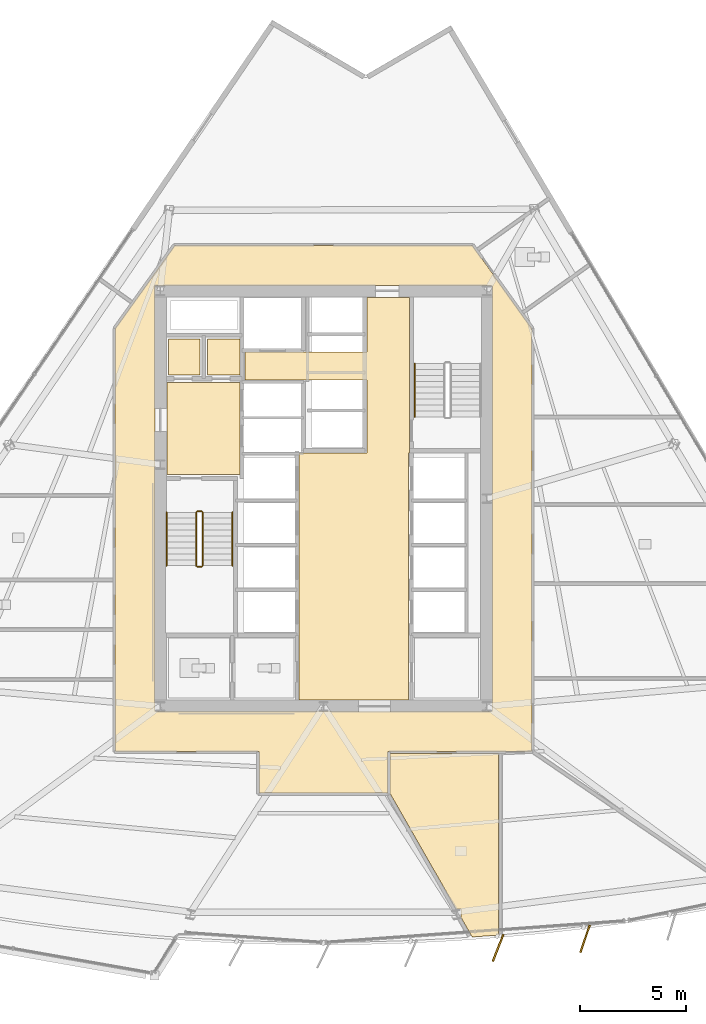
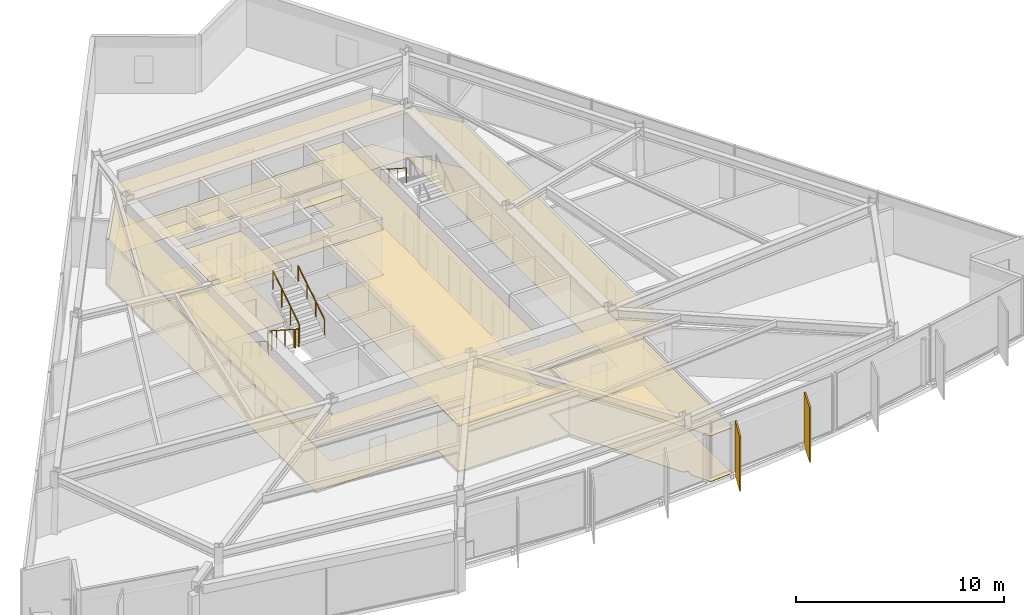
# One storey, part 12 of 15: 12 coverings, 7 railings, 2 shading devices.
"""IFC4 building model written with IfcOpenShell, lengths in metres."""

from ifc_helpers import new_model, si_unit, direction, frame, origin, origin_2d, place, context, subcontext, project, spatial, polyline, rectangle, circle, outline, extrude, material, layer, layer_set, type_object, element, save


model = new_model("IFC4")

# Units and contexts
model_context = context("Model", 3, precision=1e-05, world=origin(), true_north=direction((0.0, 1.0)))
body_context = subcontext(model_context, "Body", "Model", "MODEL_VIEW")
ifc_project = project(units=[si_unit("LENGTHUNIT", "METRE"), si_unit("AREAUNIT", "SQUARE_METRE"), si_unit("VOLUMEUNIT", "CUBIC_METRE"), si_unit("PLANEANGLEUNIT", "RADIAN"), si_unit("MASSUNIT", "GRAM", prefix="KILO")], contexts=[model_context])

# Site, building, storey
site_placement = place(None, origin())
site = spatial("IfcSite", under=ifc_project, at=site_placement, CompositionType="ELEMENT")
building_placement = place(site_placement, origin())
building = spatial("IfcBuilding", under=site, at=building_placement, Name="Savorim Split Tower", CompositionType="ELEMENT")
storey_placement = place(building_placement, frame((0.0, 0.0, 107.699951171875)))
storey = spatial("IfcBuildingStorey", under=building, at=storey_placement, Name="L28", CompositionType="ELEMENT", Elevation=107.699951171875)

# Coverings
ifc_material_1 = material(Name="Mineral Fibre Acoustic Ceiling")
ifc_layer_1 = layer(ifc_material_1, 0.02490234375)
ifc_layer_set_1 = layer_set([ifc_layer_1], Name="COV-CEIL-25")
covering_type_1 = type_object("IfcCoveringType", Name="COV-CEIL-25", PredefinedType="CEILING", material=ifc_layer_set_1)
covering_1_placement = place(storey_placement, frame((0.0, 0.0, 2.670166015625)))
element("IfcCovering", 1, at=covering_1_placement, inside=storey, type_object=covering_type_1, Name="L28 Firefighting Lift Lobby Acoustic Ceiling", PredefinedType="CEILING", context=body_context, shape_type="SweptSolid", body=[
    extrude(outline(polyline([(-7.3798828125, 5.8701171875), (-7.3798828125, 1.530029296875), (-3.929931640625, 1.530029296875), (-3.929931640625, 5.8701171875), (-7.3798828125, 5.8701171875)])), origin(), (0.0, 0.0, 1.0), 0.02490234375),
])
covering_2_placement = place(storey_placement, frame((0.0, 0.0, 2.670166015625)))
element("IfcCovering", 2, at=covering_2_placement, inside=storey, type_object=covering_type_1, Name="L28 Electrical Riser Acoustic Ceiling", PredefinedType="CEILING", context=body_context, shape_type="SweptSolid", body=[
    extrude(outline(polyline([(-7.320068359375, 7.919921875), (-7.320068359375, 6.22998046875), (-5.830078125, 6.22998046875), (-5.830078125, 7.919921875), (-7.320068359375, 7.919921875)])), origin(), (0.0, 0.0, 1.0), 0.02490234375),
])
covering_3_placement = place(storey_placement, frame((0.0, 0.0, 2.670166015625)))
element("IfcCovering", 3, at=covering_3_placement, inside=storey, type_object=covering_type_1, Name="L28 Telecom Riser Acoustic Ceiling", PredefinedType="CEILING", context=body_context, shape_type="SweptSolid", body=[
    extrude(outline(polyline([(-5.469970703125, 7.919921875), (-5.469970703125, 6.22998046875), (-3.929931640625, 6.22998046875), (-3.929931640625, 7.919921875), (-5.469970703125, 7.919921875)])), origin(), (0.0, 0.0, 1.0), 0.02490234375),
])
covering_4_placement = place(storey_placement, frame((0.0, 0.0, 2.670166015625)))
element("IfcCovering", 4, at=covering_4_placement, inside=storey, type_object=covering_type_1, Name="L28 Lift Lobby Acoustic Ceiling", PredefinedType="CEILING", context=body_context, shape_type="SweptSolid", body=[
    extrude(outline(polyline([(2.050048828125, 2.550048828125), (-1.14990234375, 2.550048828125), (-1.14990234375, -9.10009765625), (4.0, -9.10009765625), (4.0, 2.550048828125), (4.050048828125, 2.550048828125), (4.050048828125, 5.97998046875), (4.050048828125, 7.300048828125), (4.050048828125, 9.8798828125), (2.050048828125, 9.8798828125), (2.050048828125, 7.300048828125), (-3.699951171875, 7.300048828125), (-3.699951171875, 5.97998046875), (2.050048828125, 5.97998046875), (2.050048828125, 2.550048828125)])), origin(), (0.0, 0.0, 1.0), 0.02490234375),
])
covering_5_placement = place(storey_placement, frame((0.0, 0.0, 2.670166015625)))
element("IfcCovering", 5, at=covering_5_placement, inside=storey, type_object=covering_type_1, Name="L28 Corridor Acoustic Ceiling", PredefinedType="CEILING", context=body_context, shape_type="SweptSolid", body=[
    extrude(outline(polyline([(7.009521484375, 12.3291015625), (7.004638671875, 12.329833984375), (7.0, 12.330078125), (-7.0, 12.330078125), (-7.004638671875, 12.329833984375), (-7.009521484375, 12.3291015625), (-7.013916015625, 12.327880859375), (-7.0185546875, 12.326416015625), (-7.022705078125, 12.324462890625), (-7.027099609375, 12.322021484375), (-7.03076171875, 12.3193359375), (-7.034423828125, 12.31640625), (-7.03759765625, 12.312744140625), (-7.04052734375, 12.30908203125), (-9.820556640625, 8.42919921875), (-9.823486328125, 8.4248046875), (-9.82568359375, 8.420166015625), (-9.82763671875, 8.415283203125), (-9.828857421875, 8.410400390625), (-9.82958984375, 8.4052734375), (-9.830078125, 8.39990234375), (-9.830078125, -11.47998046875), (-9.829833984375, -11.48486328125), (-9.8291015625, -11.48974609375), (-9.827880859375, -11.494384765625), (-9.826171875, -11.4990234375), (-9.82421875, -11.503662109375), (-9.821533203125, -11.5078125), (-9.818603515625, -11.51171875), (-9.8154296875, -11.515380859375), (-9.811767578125, -11.518798828125), (-9.807861328125, -11.521484375), (-9.8037109375, -11.524169921875), (-9.799072265625, -11.526123046875), (-9.79443359375, -11.52783203125), (-9.789794921875, -11.529052734375), (-9.784912109375, -11.52978515625), (-9.780029296875, -11.530029296875), (-3.050048828125, -11.530029296875), (-3.050048828125, -13.449951171875), (-3.0498046875, -13.454833984375), (-3.049072265625, -13.459716796875), (-3.0478515625, -13.464599609375), (-3.046142578125, -13.468994140625), (-3.044189453125, -13.4736328125), (-3.04150390625, -13.477783203125), (-3.038818359375, -13.481689453125), (-3.035400390625, -13.4853515625), (-3.03173828125, -13.48876953125), (-3.02783203125, -13.49169921875), (-3.023681640625, -13.494140625), (-3.01904296875, -13.49609375), (-3.014404296875, -13.497802734375), (-3.009765625, -13.4990234375), (-3.0048828125, -13.499755859375), (-3.0, -13.5), (3.0, -13.5), (3.0048828125, -13.499755859375), (3.009765625, -13.4990234375), (3.014404296875, -13.497802734375), (3.01904296875, -13.49609375), (3.023681640625, -13.494140625), (3.02783203125, -13.49169921875), (3.03173828125, -13.48876953125), (3.035400390625, -13.4853515625), (3.038818359375, -13.481689453125), (3.04150390625, -13.477783203125), (3.044189453125, -13.4736328125), (3.046142578125, -13.468994140625), (3.0478515625, -13.464599609375), (3.049072265625, -13.459716796875), (3.0498046875, -13.454833984375), (3.050048828125, -13.449951171875), (3.050048828125, -11.530029296875), (9.780029296875, -11.530029296875), (9.784912109375, -11.52978515625), (9.789794921875, -11.529052734375), (9.79443359375, -11.52783203125), (9.799072265625, -11.526123046875), (9.8037109375, -11.524169921875), (9.807861328125, -11.521484375), (9.811767578125, -11.518798828125), (9.8154296875, -11.515380859375), (9.818603515625, -11.51171875), (9.821533203125, -11.5078125), (9.82421875, -11.503662109375), (9.826171875, -11.4990234375), (9.827880859375, -11.494384765625), (9.8291015625, -11.48974609375), (9.829833984375, -11.48486328125), (9.830078125, -11.47998046875), (9.830078125, 8.39990234375), (9.82958984375, 8.4052734375), (9.828857421875, 8.410400390625), (9.82763671875, 8.415283203125), (9.82568359375, 8.420166015625), (9.823486328125, 8.4248046875), (9.820556640625, 8.42919921875), (7.04052734375, 12.30908203125), (7.03759765625, 12.312744140625), (7.034423828125, 12.31640625), (7.03076171875, 12.3193359375), (7.027099609375, 12.322021484375), (7.022705078125, 12.324462890625), (7.0185546875, 12.326416015625), (7.013916015625, 12.327880859375), (7.009521484375, 12.3291015625)]), holes=[polyline([(-7.949951171875, 10.449951171875), (-7.949951171875, -9.64990234375), (7.949951171875, -9.64990234375), (7.949951171875, 10.449951171875), (-7.949951171875, 10.449951171875)])]), origin(), (0.0, 0.0, 1.0), 0.02490234375),
])
covering_6_placement = place(storey_placement, frame((0.0, 0.0, 2.670166015625)))
element("IfcCovering", 6, at=covering_6_placement, inside=storey, type_object=covering_type_1, Name="L28 Community Laundry Room Acoustic Ceiling", PredefinedType="CEILING", context=body_context, shape_type="SweptSolid", body=[
    extrude(outline(polyline([(7.01171875, -20.274658203125), (7.00048828125, -20.281005859375), (8.186767578125, -20.196044921875), (8.253173828125, -20.18994140625), (8.253173828125, -11.6201171875), (3.139892578125, -11.6201171875), (3.139892578125, -13.449951171875), (3.139404296875, -13.463623046875), (3.13720703125, -13.477294921875), (3.134033203125, -13.490478515625), (3.131591796875, -13.4970703125), (6.25634765625, -18.95556640625), (6.48486328125, -18.95556640625), (6.48486328125, -19.3544921875), (6.96435546875, -20.1923828125), (7.01171875, -20.274658203125)])), origin(), (0.0, 0.0, 1.0), 0.02490234375),
])
ifc_material_2 = material(Name="Porcelain Stoneware Flooring", Category="masonry")
ifc_layer_2 = layer(ifc_material_2, 0.02001953125)
ifc_layer_set_2 = layer_set([ifc_layer_2], Name="COV-FLOR-20")
covering_type_2 = type_object("IfcCoveringType", Name="COV-FLOR-20", PredefinedType="FLOORING", material=ifc_layer_set_2)
covering_7_placement = place(storey_placement, origin())
element("IfcCovering", 7, at=covering_7_placement, inside=storey, type_object=covering_type_2, Name="L28 Firefighting Lift Lobby Porcelain Flooring", PredefinedType="FLOORING", context=body_context, shape_type="SweptSolid", body=[
    extrude(outline(polyline([(-7.3798828125, 5.8701171875), (-7.3798828125, 1.530029296875), (-3.929931640625, 1.530029296875), (-3.929931640625, 5.8701171875), (-7.3798828125, 5.8701171875)])), origin(), (0.0, 0.0, 1.0), 0.02001953125),
])
covering_8_placement = place(storey_placement, origin())
element("IfcCovering", 8, at=covering_8_placement, inside=storey, type_object=covering_type_2, Name="L28 Electrical Riser Porcelain Flooring", PredefinedType="FLOORING", context=body_context, shape_type="SweptSolid", body=[
    extrude(outline(polyline([(-7.320068359375, 7.919921875), (-7.320068359375, 6.22998046875), (-5.830078125, 6.22998046875), (-5.830078125, 7.919921875), (-7.320068359375, 7.919921875)])), origin(), (0.0, 0.0, 1.0), 0.02001953125),
])
covering_9_placement = place(storey_placement, origin())
element("IfcCovering", 9, at=covering_9_placement, inside=storey, type_object=covering_type_2, Name="L28 Telecom Riser Porcelain Flooring", PredefinedType="FLOORING", context=body_context, shape_type="SweptSolid", body=[
    extrude(outline(polyline([(-5.469970703125, 7.919921875), (-5.469970703125, 6.22998046875), (-3.929931640625, 6.22998046875), (-3.929931640625, 7.919921875), (-5.469970703125, 7.919921875)])), origin(), (0.0, 0.0, 1.0), 0.02001953125),
])
covering_10_placement = place(storey_placement, origin())
element("IfcCovering", 10, at=covering_10_placement, inside=storey, type_object=covering_type_2, Name="L28 Lift Lobby Porcelain Flooring", PredefinedType="FLOORING", context=body_context, shape_type="SweptSolid", body=[
    extrude(outline(polyline([(2.050048828125, 2.550048828125), (-1.14990234375, 2.550048828125), (-1.14990234375, -9.10009765625), (4.0, -9.10009765625), (4.0, 2.550048828125), (4.050048828125, 2.550048828125), (4.050048828125, 5.97998046875), (4.050048828125, 7.300048828125), (4.050048828125, 9.8798828125), (2.050048828125, 9.8798828125), (2.050048828125, 7.300048828125), (-3.699951171875, 7.300048828125), (-3.699951171875, 5.97998046875), (2.050048828125, 5.97998046875), (2.050048828125, 2.550048828125)])), origin(), (0.0, 0.0, 1.0), 0.02001953125),
])
covering_11_placement = place(storey_placement, origin())
element("IfcCovering", 11, at=covering_11_placement, inside=storey, type_object=covering_type_2, Name="L28 Corridor Porcelain Flooring", PredefinedType="FLOORING", context=body_context, shape_type="SweptSolid", body=[
    extrude(outline(polyline([(7.009521484375, 12.3291015625), (7.004638671875, 12.329833984375), (7.0, 12.330078125), (-7.0, 12.330078125), (-7.004638671875, 12.329833984375), (-7.009521484375, 12.3291015625), (-7.013916015625, 12.327880859375), (-7.0185546875, 12.326416015625), (-7.022705078125, 12.324462890625), (-7.027099609375, 12.322021484375), (-7.03076171875, 12.3193359375), (-7.034423828125, 12.31640625), (-7.03759765625, 12.312744140625), (-7.04052734375, 12.30908203125), (-9.820556640625, 8.42919921875), (-9.823486328125, 8.4248046875), (-9.82568359375, 8.420166015625), (-9.82763671875, 8.415283203125), (-9.828857421875, 8.410400390625), (-9.82958984375, 8.4052734375), (-9.830078125, 8.39990234375), (-9.830078125, -11.47998046875), (-9.829833984375, -11.48486328125), (-9.8291015625, -11.48974609375), (-9.827880859375, -11.494384765625), (-9.826171875, -11.4990234375), (-9.82421875, -11.503662109375), (-9.821533203125, -11.5078125), (-9.818603515625, -11.51171875), (-9.8154296875, -11.515380859375), (-9.811767578125, -11.518798828125), (-9.807861328125, -11.521484375), (-9.8037109375, -11.524169921875), (-9.799072265625, -11.526123046875), (-9.79443359375, -11.52783203125), (-9.789794921875, -11.529052734375), (-9.784912109375, -11.52978515625), (-9.780029296875, -11.530029296875), (-3.050048828125, -11.530029296875), (-3.050048828125, -13.449951171875), (-3.0498046875, -13.454833984375), (-3.049072265625, -13.459716796875), (-3.0478515625, -13.464599609375), (-3.046142578125, -13.468994140625), (-3.044189453125, -13.4736328125), (-3.04150390625, -13.477783203125), (-3.038818359375, -13.481689453125), (-3.035400390625, -13.4853515625), (-3.03173828125, -13.48876953125), (-3.02783203125, -13.49169921875), (-3.023681640625, -13.494140625), (-3.01904296875, -13.49609375), (-3.014404296875, -13.497802734375), (-3.009765625, -13.4990234375), (-3.0048828125, -13.499755859375), (-3.0, -13.5), (3.0, -13.5), (3.0048828125, -13.499755859375), (3.009765625, -13.4990234375), (3.014404296875, -13.497802734375), (3.01904296875, -13.49609375), (3.023681640625, -13.494140625), (3.02783203125, -13.49169921875), (3.03173828125, -13.48876953125), (3.035400390625, -13.4853515625), (3.038818359375, -13.481689453125), (3.04150390625, -13.477783203125), (3.044189453125, -13.4736328125), (3.046142578125, -13.468994140625), (3.0478515625, -13.464599609375), (3.049072265625, -13.459716796875), (3.0498046875, -13.454833984375), (3.050048828125, -13.449951171875), (3.050048828125, -11.530029296875), (9.780029296875, -11.530029296875), (9.784912109375, -11.52978515625), (9.789794921875, -11.529052734375), (9.79443359375, -11.52783203125), (9.799072265625, -11.526123046875), (9.8037109375, -11.524169921875), (9.807861328125, -11.521484375), (9.811767578125, -11.518798828125), (9.8154296875, -11.515380859375), (9.818603515625, -11.51171875), (9.821533203125, -11.5078125), (9.82421875, -11.503662109375), (9.826171875, -11.4990234375), (9.827880859375, -11.494384765625), (9.8291015625, -11.48974609375), (9.829833984375, -11.48486328125), (9.830078125, -11.47998046875), (9.830078125, 8.39990234375), (9.82958984375, 8.4052734375), (9.828857421875, 8.410400390625), (9.82763671875, 8.415283203125), (9.82568359375, 8.420166015625), (9.823486328125, 8.4248046875), (9.820556640625, 8.42919921875), (7.04052734375, 12.30908203125), (7.03759765625, 12.312744140625), (7.034423828125, 12.31640625), (7.03076171875, 12.3193359375), (7.027099609375, 12.322021484375), (7.022705078125, 12.324462890625), (7.0185546875, 12.326416015625), (7.013916015625, 12.327880859375), (7.009521484375, 12.3291015625)]), holes=[polyline([(-7.949951171875, 10.449951171875), (-7.949951171875, -9.64990234375), (7.949951171875, -9.64990234375), (7.949951171875, 10.449951171875), (-7.949951171875, 10.449951171875)])]), origin(), (0.0, 0.0, 1.0), 0.02001953125),
])
covering_12_placement = place(storey_placement, origin())
element("IfcCovering", 12, at=covering_12_placement, inside=storey, type_object=covering_type_2, Name="L28 Community Laundry Room Porcelain Flooring", PredefinedType="FLOORING", context=body_context, shape_type="SweptSolid", body=[
    extrude(outline(polyline([(7.01171875, -20.274658203125), (7.00048828125, -20.281005859375), (8.186767578125, -20.196044921875), (8.253173828125, -20.18994140625), (8.253173828125, -11.6201171875), (3.139892578125, -11.6201171875), (3.139892578125, -13.449951171875), (3.139404296875, -13.463623046875), (3.13720703125, -13.477294921875), (3.134033203125, -13.490478515625), (3.131591796875, -13.4970703125), (6.25634765625, -18.95556640625), (6.48486328125, -18.95556640625), (6.48486328125, -19.3544921875), (6.96435546875, -20.1923828125), (7.01171875, -20.274658203125)])), origin(), (0.0, 0.0, 1.0), 0.02001953125),
])

# Railings
ifc_material_3 = material(Name="Galvanised Painted Steel Balustrade", Category="steel")
railing_type_1 = type_object("IfcRailingType", Name="RLG-HR-900", PredefinedType="HANDRAIL", material=ifc_material_3)
railing_1_placement = place(storey_placement, frame((-7.39990234375, -0.25, 0.179931640625)))
element("IfcRailing", 13, at=railing_1_placement, inside=storey, type_object=railing_type_1, Name="L28 ST-1 stair handrail 1", PredefinedType="HANDRAIL", context=body_context, shape_type="SweptSolid", body=[
    extrude(circle(Radius=0.02392578125, at=origin_2d()), frame((0.0, 0.0, 0.8759765625), z_axis=(0.0, -0.841162588446, 0.540782303519), x_axis=(1.0, 0.0, 0.0)), (0.0, 0.0, 1.0), 2.995849609375),
    extrude(circle(Radius=0.02099609375, at=origin_2d()), origin(), (0.0, 0.0, 1.0), 0.851806640625),
    extrude(circle(Radius=0.02099609375, at=origin_2d()), frame((0.0, -0.840087890625, 0.5400390625)), (0.0, 0.0, 1.0), 0.851806640625),
    extrude(circle(Radius=0.02099609375, at=origin_2d()), frame((0.0, -1.679931640625, 1.080078125)), (0.0, 0.0, 1.0), 0.851806640625),
    extrude(circle(Radius=0.02099609375, at=origin_2d()), frame((0.0, -2.52001953125, 1.6201171875)), (0.0, 0.0, 1.0), 0.851806640625),
])
railing_2_placement = place(storey_placement, frame((-4.300048828125, -2.77001953125, 1.97998046875)))
element("IfcRailing", 14, at=railing_2_placement, inside=storey, type_object=railing_type_1, Name="L28 ST-1 stair handrail 2", PredefinedType="HANDRAIL", context=body_context, shape_type="SweptSolid", body=[
    extrude(circle(Radius=0.02392578125, at=origin_2d()), frame((0.0, 0.0, 0.8759765625), z_axis=(0.0, 0.841162588446, 0.540782303519), x_axis=(-1.0, 0.0, 0.0)), (0.0, 0.0, 1.0), 2.995849609375),
    extrude(circle(Radius=0.02099609375, at=origin_2d()), origin(), (0.0, 0.0, 1.0), 0.851806640625),
    extrude(circle(Radius=0.02099609375, at=origin_2d()), frame((0.0, 0.840087890625, 0.5400390625)), (0.0, 0.0, 1.0), 0.851806640625),
    extrude(circle(Radius=0.02099609375, at=origin_2d()), frame((0.0, 1.679931640625, 1.080078125)), (0.0, 0.0, 1.0), 0.851806640625),
    extrude(circle(Radius=0.02099609375, at=origin_2d()), frame((0.0, 2.52001953125, 1.6201171875)), (0.0, 0.0, 1.0), 0.851806640625),
])
railing_3_placement = place(storey_placement, frame((4.300048828125, 6.77001953125, 1.97998046875)))
element("IfcRailing", 15, at=railing_3_placement, inside=storey, type_object=railing_type_1, Name="L28 ST-2 stair handrail 2", PredefinedType="HANDRAIL", context=body_context, shape_type="SweptSolid", body=[
    extrude(circle(Radius=0.02392578125, at=origin_2d()), frame((0.0, 0.0, 0.8759765625), z_axis=(0.0, -0.841162588446, 0.540782303519), x_axis=(1.0, 0.0, 0.0)), (0.0, 0.0, 1.0), 2.995849609375),
    extrude(circle(Radius=0.02099609375, at=origin_2d()), origin(), (0.0, 0.0, 1.0), 0.851806640625),
    extrude(circle(Radius=0.02099609375, at=origin_2d()), frame((0.0, -0.840087890625, 0.5400390625)), (0.0, 0.0, 1.0), 0.851806640625),
    extrude(circle(Radius=0.02099609375, at=origin_2d()), frame((0.0, -1.679931640625, 1.080078125)), (0.0, 0.0, 1.0), 0.851806640625),
    extrude(circle(Radius=0.02099609375, at=origin_2d()), frame((0.0, -2.52001953125, 1.6201171875)), (0.0, 0.0, 1.0), 0.851806640625),
])
railing_type_2 = type_object("IfcRailingType", Name="RLG-STG-1100", PredefinedType="BALUSTRADE", material=ifc_material_3)
railing_4_placement = place(storey_placement, frame((-6.0, -0.25, 0.179931640625)))
element("IfcRailing", 16, at=railing_4_placement, inside=storey, type_object=railing_type_2, Name="L28 ST-1 stair guard 1", PredefinedType="BALUSTRADE", context=body_context, shape_type="SweptSolid", body=[
    extrude(circle(Radius=0.02392578125, at=origin_2d()), frame((0.0, 0.0, 1.076171875), z_axis=(0.0, -0.841162588446, 0.540782303519), x_axis=(1.0, 0.0, 0.0)), (0.0, 0.0, 1.0), 2.995849609375),
    extrude(circle(Radius=0.02099609375, at=origin_2d()), origin(), (0.0, 0.0, 1.0), 1.052001953125),
    extrude(circle(Radius=0.02099609375, at=origin_2d()), frame((0.0, -0.840087890625, 0.5400390625)), (0.0, 0.0, 1.0), 1.052001953125),
    extrude(circle(Radius=0.02099609375, at=origin_2d()), frame((0.0, -1.679931640625, 1.080078125)), (0.0, 0.0, 1.0), 1.052001953125),
    extrude(circle(Radius=0.02099609375, at=origin_2d()), frame((0.0, -2.52001953125, 1.6201171875)), (0.0, 0.0, 1.0), 1.052001953125),
])
railing_5_placement = place(storey_placement, frame((-5.949951171875, -2.820068359375, 1.800048828125)))
element("IfcRailing", 17, at=railing_5_placement, inside=storey, type_object=railing_type_2, Name="L28 ST-1 stair guard 2", PredefinedType="BALUSTRADE", context=body_context, shape_type="SweptSolid", body=[
    extrude(circle(Radius=0.02392578125, at=origin_2d()), frame((0.0, 0.0, 1.076171875), z_axis=(1.0, 0.0, 0.0), x_axis=(0.0, 1.0, 0.0)), (0.0, 0.0, 1.0), 0.199951171875),
    extrude(circle(Radius=0.02099609375, at=origin_2d()), origin(), (0.0, 0.0, 1.0), 1.052001953125),
    extrude(circle(Radius=0.02099609375, at=origin_2d()), frame((0.199951171875, 0.0, 0.0)), (0.0, 0.0, 1.0), 1.052001953125),
])
railing_6_placement = place(storey_placement, frame((-5.699951171875, -2.77001953125, 1.97998046875)))
element("IfcRailing", 18, at=railing_6_placement, inside=storey, type_object=railing_type_2, Name="L28 ST-1 stair guard 3", PredefinedType="BALUSTRADE", context=body_context, shape_type="SweptSolid", body=[
    extrude(circle(Radius=0.02392578125, at=origin_2d()), frame((0.0, 0.0, 1.076171875), z_axis=(0.0, 0.841162588446, 0.540782303519), x_axis=(-1.0, 0.0, 0.0)), (0.0, 0.0, 1.0), 2.995849609375),
    extrude(circle(Radius=0.02099609375, at=origin_2d()), origin(), (0.0, 0.0, 1.0), 1.052001953125),
    extrude(circle(Radius=0.02099609375, at=origin_2d()), frame((0.0, 0.840087890625, 0.5400390625)), (0.0, 0.0, 1.0), 1.052001953125),
    extrude(circle(Radius=0.02099609375, at=origin_2d()), frame((0.0, 1.679931640625, 1.080078125)), (0.0, 0.0, 1.0), 1.052001953125),
    extrude(circle(Radius=0.02099609375, at=origin_2d()), frame((0.0, 2.52001953125, 1.6201171875)), (0.0, 0.0, 1.0), 1.052001953125),
])
railing_7_placement = place(storey_placement, frame((-5.949951171875, -0.199951171875, 0.0)))
element("IfcRailing", 19, at=railing_7_placement, inside=storey, type_object=railing_type_2, Name="L28 ST-1 stair guard 4", PredefinedType="BALUSTRADE", context=body_context, shape_type="SweptSolid", body=[
    extrude(circle(Radius=0.02392578125, at=origin_2d()), frame((0.0, 0.0, 1.076171875), z_axis=(1.0, 0.0, 0.0), x_axis=(0.0, 1.0, 0.0)), (0.0, 0.0, 1.0), 0.199951171875),
    extrude(circle(Radius=0.02099609375, at=origin_2d()), origin(), (0.0, 0.0, 1.0), 1.052001953125),
    extrude(circle(Radius=0.02099609375, at=origin_2d()), frame((0.199951171875, 0.0, 0.0)), (0.0, 0.0, 1.0), 1.052001953125),
])

# Shading devices
ifc_material_4 = material(Name="Terracotta Ceramic-Coated Aluminium Fin", Category="masonry")
shading_device_type = type_object("IfcShadingDeviceType", Name="SHD-FIN-1360", PredefinedType="USERDEFINED", material=ifc_material_4)
for number, where, z_axis, x_axis, name in (
    (20, (8.235595703125, -20.7900390625, -0.19970703125), (0.0, 0.0, 1.0), (-0.363415461732, -0.931627179817, 0.0), "L28 Sawtooth Shading Fin 09"),
    (21, (12.3359375, -20.368896484375, -0.19970703125), (0.0, 0.0, 1.0), (-0.324993810493, -0.945716143005, 0.0), "L28 Sawtooth Shading Fin 10"),
):
    element("IfcShadingDevice", number, at=place(storey_placement, frame(where, z_axis=z_axis, x_axis=x_axis)), inside=storey, type_object=shading_device_type, Name=name, ObjectType="FIN", PredefinedType="USERDEFINED", context=body_context, shape_type="SweptSolid", body=[
        extrude(rectangle(XDim=1.360107421875, YDim=0.080078125, at=origin_2d()), origin(), (0.0, 0.0, 1.0), 3.199951171875),
    ])

save(model, "model.ifc")
